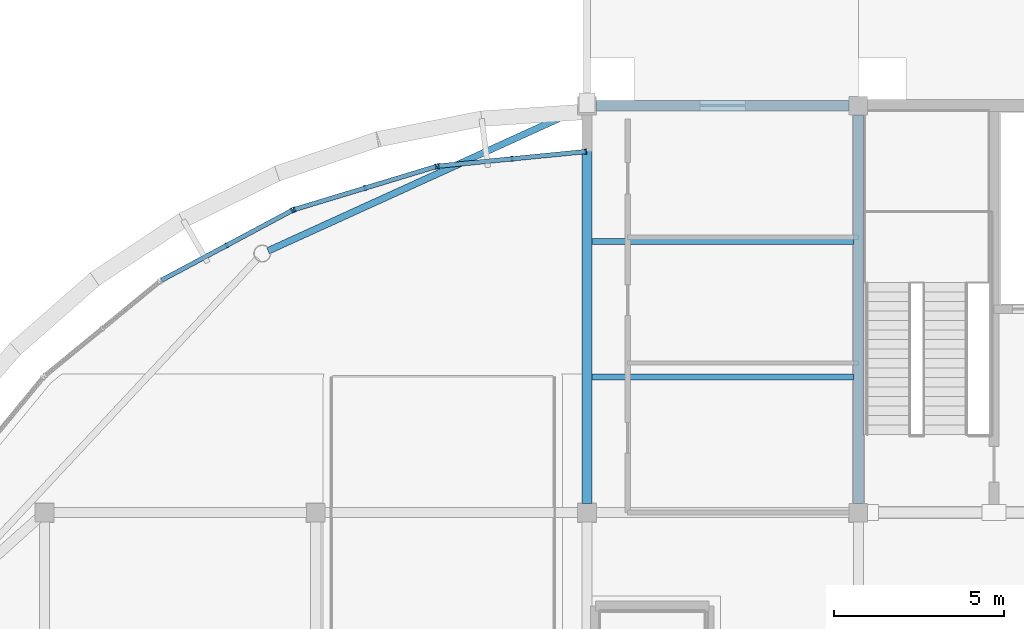
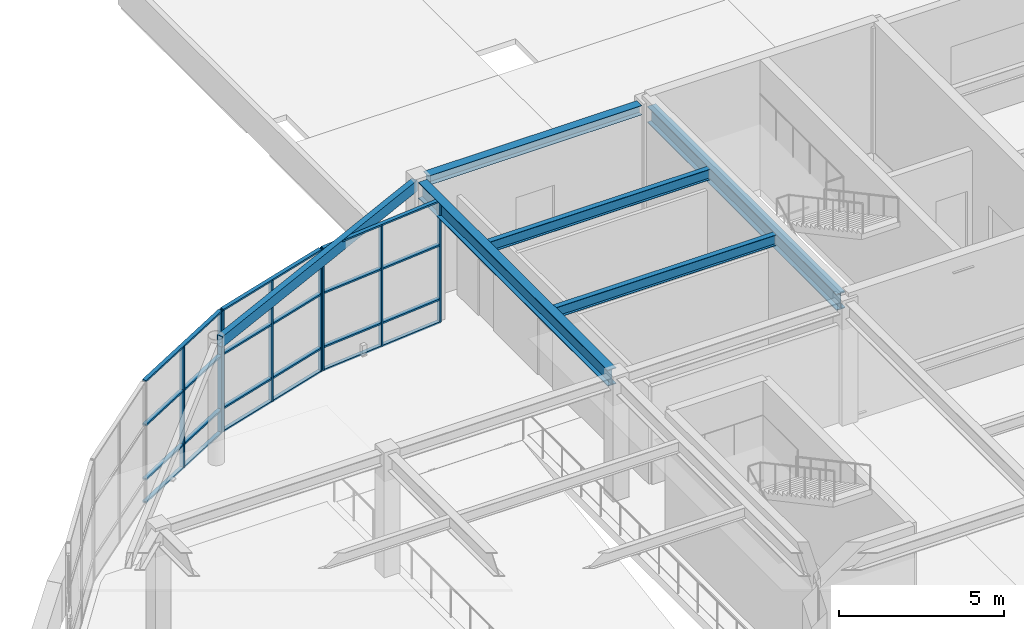
# One storey, part 20 of 72: 20 members, 6 beams, 3 elements without a shape of their own.
"""IFC4 building model written with IfcOpenShell, lengths in metres."""

from ifc_helpers import new_model, si_unit, direction, frame, origin, origin_2d, place, context, subcontext, project, spatial, rectangle, hollow_rectangle, i_section, extrude, material, layer, layer_set, material_profile, profile_set, type_object, element, aggregate, save


model = new_model("IFC4")

# Units and contexts
model_context = context("Model", 3, precision=1e-05, world=origin(), true_north=direction((0.0, 1.0)))
body_context = subcontext(model_context, "Body", "Model", "MODEL_VIEW")
ifc_project = project(units=[si_unit("LENGTHUNIT", "METRE"), si_unit("AREAUNIT", "SQUARE_METRE"), si_unit("VOLUMEUNIT", "CUBIC_METRE"), si_unit("PLANEANGLEUNIT", "RADIAN"), si_unit("MASSUNIT", "GRAM", prefix="KILO")], contexts=[model_context])

# Site, building, storey
site_placement = place(None, origin())
site = spatial("IfcSite", under=ifc_project, at=site_placement, CompositionType="ELEMENT")
building_placement = place(site_placement, origin())
building = spatial("IfcBuilding", under=site, at=building_placement, Name="Keelwater Ferry Terminal", CompositionType="ELEMENT")
storey_placement = place(building_placement, frame((0.0, 0.0, 5.39990234375)))
storey = spatial("IfcBuildingStorey", under=building, at=storey_placement, Name="L01", CompositionType="ELEMENT", Elevation=5.39990234375)

# Curtain wall, members
ifc_material_1 = material(Name="Thermally broken unitised aluminium and triple glass", Category="aluminium")
ifc_layer = layer(ifc_material_1, 0.179931640625)
ifc_layer_set = layer_set([ifc_layer], Name="Thermally broken unitised aluminium and triple glass")
curtain_wall_type = type_object("IfcCurtainWallType", Name="CW-18 Unitised Curtain Wall 4350x4480", PredefinedType="USERDEFINED", material=ifc_layer_set)
curtain_wall_1_placement = place(storey_placement, origin())
curtain_wall_1 = element("IfcCurtainWall", 1, at=curtain_wall_1_placement, inside=storey, type_object=curtain_wall_type, Name="Unitised Curtain Wall CW-L01-109", ObjectType="UNITISED CURTAIN WALL", PredefinedType="USERDEFINED")
ifc_material_2 = material(Name="Aluminium mullion", Category="aluminium")
ifc_material_profile_1 = material_profile(ifc_material_2, rectangle(XDim=0.06005859375, YDim=0.14990234375, at=origin_2d()), Name="CWM-03")
ifc_profile_set_1 = profile_set([ifc_material_profile_1], Name="Aluminium mullion")
member_type_1 = type_object("IfcMemberType", Name="CWM-03 Curtain Mullion 60x150", PredefinedType="MULLION", material=ifc_profile_set_1)
member_1_placement = place(storey_placement, frame((23.955078125, 88.64599609375, 0.0), z_axis=(0.0, 0.0, 1.0), x_axis=(-0.995170573079, -0.098160737969, 0.0)))
member_1 = element("IfcMember", 2, at=member_1_placement, type_object=member_type_1, Name="CW-L01-109 Mullion 1", PredefinedType="MULLION", context=body_context, shape_type="SweptSolid", body=[
    extrude(rectangle(XDim=0.06005859375, YDim=0.14990234375, at=origin_2d()), origin(), (0.0, 0.0, 1.0), 4.47998046875),
])
member_2_placement = place(storey_placement, frame((21.79052734375, 88.4326171875, 0.0), z_axis=(0.0, 0.0, 1.0), x_axis=(-0.995170573079, -0.098160737969, 0.0)))
member_2 = element("IfcMember", 3, at=member_2_placement, type_object=member_type_1, Name="CW-L01-109 Mullion 2", PredefinedType="MULLION", context=body_context, shape_type="SweptSolid", body=[
    extrude(rectangle(XDim=0.06005859375, YDim=0.14990234375, at=origin_2d()), origin(), (0.0, 0.0, 1.0), 4.47998046875),
])
member_3_placement = place(storey_placement, frame((19.6259765625, 88.218994140625, 0.0), z_axis=(0.0, 0.0, 1.0), x_axis=(-0.995170573079, -0.098160737969, 0.0)))
member_3 = element("IfcMember", 4, at=member_3_placement, type_object=member_type_1, Name="CW-L01-109 Mullion 3", PredefinedType="MULLION", context=body_context, shape_type="SweptSolid", body=[
    extrude(rectangle(XDim=0.06005859375, YDim=0.14990234375, at=origin_2d()), origin(), (0.0, 0.0, 1.0), 4.47998046875),
])

curtain_wall_2_placement = place(storey_placement, origin())
curtain_wall_2 = element("IfcCurtainWall", 5, at=curtain_wall_2_placement, inside=storey, type_object=curtain_wall_type, Name="Unitised Curtain Wall CW-L01-110", ObjectType="UNITISED CURTAIN WALL", PredefinedType="USERDEFINED")
member_4_placement = place(storey_placement, frame((19.5380859375, 88.201904296875, 0.0), z_axis=(0.0, 0.0, 1.0), x_axis=(-0.956929623319, -0.290319989003, 0.0)))
member_4 = element("IfcMember", 6, at=member_4_placement, type_object=member_type_1, Name="CW-L01-110 Mullion 1", PredefinedType="MULLION", context=body_context, shape_type="SweptSolid", body=[
    extrude(rectangle(XDim=0.06005859375, YDim=0.14990234375, at=origin_2d()), origin(), (0.0, 0.0, 1.0), 4.47998046875),
])
member_5_placement = place(storey_placement, frame((17.45654296875, 87.570556640625, 0.0), z_axis=(0.0, 0.0, 1.0), x_axis=(-0.956929623319, -0.290319989003, 0.0)))
member_5 = element("IfcMember", 7, at=member_5_placement, type_object=member_type_1, Name="CW-L01-110 Mullion 2", PredefinedType="MULLION", context=body_context, shape_type="SweptSolid", body=[
    extrude(rectangle(XDim=0.06005859375, YDim=0.14990234375, at=origin_2d()), origin(), (0.0, 0.0, 1.0), 4.47998046875),
])
member_6_placement = place(storey_placement, frame((15.375, 86.93896484375, 0.0), z_axis=(0.0, 0.0, 1.0), x_axis=(-0.956929623319, -0.290319989003, 0.0)))
member_6 = element("IfcMember", 8, at=member_6_placement, type_object=member_type_1, Name="CW-L01-110 Mullion 3", PredefinedType="MULLION", context=body_context, shape_type="SweptSolid", body=[
    extrude(rectangle(XDim=0.06005859375, YDim=0.14990234375, at=origin_2d()), origin(), (0.0, 0.0, 1.0), 4.47998046875),
])

curtain_wall_3_placement = place(storey_placement, origin())
curtain_wall_3 = element("IfcCurtainWall", 9, at=curtain_wall_3_placement, inside=storey, type_object=curtain_wall_type, Name="Unitised Curtain Wall CW-L01-111", ObjectType="UNITISED CURTAIN WALL", PredefinedType="USERDEFINED")
member_7_placement = place(storey_placement, frame((15.2919921875, 86.905029296875, 0.0), z_axis=(0.0, 0.0, 1.0), x_axis=(-0.881862452632, -0.471506749303, 0.0)))
member_7 = element("IfcMember", 10, at=member_7_placement, type_object=member_type_1, Name="CW-L01-111 Mullion 1", PredefinedType="MULLION", context=body_context, shape_type="SweptSolid", body=[
    extrude(rectangle(XDim=0.06005859375, YDim=0.14990234375, at=origin_2d()), origin(), (0.0, 0.0, 1.0), 4.47998046875),
])
member_8_placement = place(storey_placement, frame((13.3740234375, 85.87939453125, 0.0), z_axis=(0.0, 0.0, 1.0), x_axis=(-0.881862452632, -0.471506749303, 0.0)))
member_8 = element("IfcMember", 11, at=member_8_placement, type_object=member_type_1, Name="CW-L01-111 Mullion 2", PredefinedType="MULLION", context=body_context, shape_type="SweptSolid", body=[
    extrude(rectangle(XDim=0.06005859375, YDim=0.14990234375, at=origin_2d()), origin(), (0.0, 0.0, 1.0), 4.47998046875),
])

# Member
ifc_material_3 = material(Name="Aluminium mullion", Category="aluminium")
ifc_material_profile_2 = material_profile(ifc_material_3, rectangle(XDim=0.135009765625, YDim=0.06005859375, at=origin_2d()), Name="CWT-03")
ifc_profile_set_2 = profile_set([ifc_material_profile_2], Name="Aluminium mullion")
member_type_2 = type_object("IfcMemberType", Name="CWT-03 Curtain Transom 60x135", PredefinedType="USERDEFINED", material=ifc_profile_set_2)
member_9_placement = place(storey_placement, frame((23.955078125, 88.64599609375, 0.0), z_axis=(-0.995170754178, -0.098158901932, 0.0), x_axis=(0.098158901932, -0.995170754178, 0.0)))
member_9 = element("IfcMember", 12, at=member_9_placement, type_object=member_type_2, Name="CW-L01-109 Transom 1", ObjectType="TRANSOM", PredefinedType="USERDEFINED", context=body_context, shape_type="SweptSolid", body=[
    extrude(rectangle(XDim=0.135009765625, YDim=0.06005859375, at=origin_2d()), origin(), (0.0, 0.0, 1.0), 4.35009765625),
])

member_10_placement = place(storey_placement, frame((23.955078125, 88.64599609375, 0.85009765625), z_axis=(-0.995170754178, -0.098158901932, 0.0), x_axis=(0.098158901932, -0.995170754178, 0.0)))
member_10 = element("IfcMember", 13, at=member_10_placement, type_object=member_type_2, Name="CW-L01-109 Transom 2", ObjectType="TRANSOM", PredefinedType="USERDEFINED", context=body_context, shape_type="SweptSolid", body=[
    extrude(rectangle(XDim=0.135009765625, YDim=0.06005859375, at=origin_2d()), origin(), (0.0, 0.0, 1.0), 4.35009765625),
])

member_11_placement = place(storey_placement, frame((23.955078125, 88.64599609375, 2.85009765625), z_axis=(-0.995170754178, -0.098158901932, 0.0), x_axis=(0.098158901932, -0.995170754178, 0.0)))
member_11 = element("IfcMember", 14, at=member_11_placement, type_object=member_type_2, Name="CW-L01-109 Transom 3", ObjectType="TRANSOM", PredefinedType="USERDEFINED", context=body_context, shape_type="SweptSolid", body=[
    extrude(rectangle(XDim=0.135009765625, YDim=0.06005859375, at=origin_2d()), origin(), (0.0, 0.0, 1.0), 4.35009765625),
])

member_12_placement = place(storey_placement, frame((23.955078125, 88.64599609375, 4.47998046875), z_axis=(-0.995170754178, -0.098158901932, 0.0), x_axis=(0.098158901932, -0.995170754178, 0.0)))
member_12 = element("IfcMember", 15, at=member_12_placement, type_object=member_type_2, Name="CW-L01-109 Transom 4", ObjectType="TRANSOM", PredefinedType="USERDEFINED", context=body_context, shape_type="SweptSolid", body=[
    extrude(rectangle(XDim=0.135009765625, YDim=0.06005859375, at=origin_2d()), origin(), (0.0, 0.0, 1.0), 4.35009765625),
])

aggregate(curtain_wall_1, [member_1, member_2, member_3, member_9, member_10, member_11, member_12])

member_13_placement = place(storey_placement, frame((19.5380859375, 88.201904296875, 0.0), z_axis=(-0.956935154583, -0.290301756665, 0.0), x_axis=(0.290301756665, -0.956935154583, 0.0)))
member_13 = element("IfcMember", 16, at=member_13_placement, type_object=member_type_2, Name="CW-L01-110 Transom 1", ObjectType="TRANSOM", PredefinedType="USERDEFINED", context=body_context, shape_type="SweptSolid", body=[
    extrude(rectangle(XDim=0.135009765625, YDim=0.06005859375, at=origin_2d()), origin(), (0.0, 0.0, 1.0), 4.350341796875),
])

member_14_placement = place(storey_placement, frame((19.5380859375, 88.201904296875, 0.85009765625), z_axis=(-0.956935154583, -0.290301756665, 0.0), x_axis=(0.290301756665, -0.956935154583, 0.0)))
member_14 = element("IfcMember", 17, at=member_14_placement, type_object=member_type_2, Name="CW-L01-110 Transom 2", ObjectType="TRANSOM", PredefinedType="USERDEFINED", context=body_context, shape_type="SweptSolid", body=[
    extrude(rectangle(XDim=0.135009765625, YDim=0.06005859375, at=origin_2d()), origin(), (0.0, 0.0, 1.0), 4.350341796875),
])

member_15_placement = place(storey_placement, frame((19.5380859375, 88.201904296875, 2.85009765625), z_axis=(-0.956935154583, -0.290301756665, 0.0), x_axis=(0.290301756665, -0.956935154583, 0.0)))
member_15 = element("IfcMember", 18, at=member_15_placement, type_object=member_type_2, Name="CW-L01-110 Transom 3", ObjectType="TRANSOM", PredefinedType="USERDEFINED", context=body_context, shape_type="SweptSolid", body=[
    extrude(rectangle(XDim=0.135009765625, YDim=0.06005859375, at=origin_2d()), origin(), (0.0, 0.0, 1.0), 4.350341796875),
])

member_16_placement = place(storey_placement, frame((19.5380859375, 88.201904296875, 4.47998046875), z_axis=(-0.956935154583, -0.290301756665, 0.0), x_axis=(0.290301756665, -0.956935154583, 0.0)))
member_16 = element("IfcMember", 19, at=member_16_placement, type_object=member_type_2, Name="CW-L01-110 Transom 4", ObjectType="TRANSOM", PredefinedType="USERDEFINED", context=body_context, shape_type="SweptSolid", body=[
    extrude(rectangle(XDim=0.135009765625, YDim=0.06005859375, at=origin_2d()), origin(), (0.0, 0.0, 1.0), 4.350341796875),
])

aggregate(curtain_wall_2, [member_4, member_5, member_6, member_13, member_14, member_15, member_16])

member_17_placement = place(storey_placement, frame((15.2919921875, 86.905029296875, 0.0), z_axis=(-0.881856831112, -0.471517263122, 0.0), x_axis=(0.471517263122, -0.881856831112, 0.0)))
member_17 = element("IfcMember", 20, at=member_17_placement, type_object=member_type_2, Name="CW-L01-111 Transom 1", ObjectType="TRANSOM", PredefinedType="USERDEFINED", context=body_context, shape_type="SweptSolid", body=[
    extrude(rectangle(XDim=0.135009765625, YDim=0.06005859375, at=origin_2d()), origin(), (0.0, 0.0, 1.0), 4.349853515625),
])

member_18_placement = place(storey_placement, frame((15.2919921875, 86.905029296875, 0.85009765625), z_axis=(-0.881856831112, -0.471517263122, 0.0), x_axis=(0.471517263122, -0.881856831112, 0.0)))
member_18 = element("IfcMember", 21, at=member_18_placement, type_object=member_type_2, Name="CW-L01-111 Transom 2", ObjectType="TRANSOM", PredefinedType="USERDEFINED", context=body_context, shape_type="SweptSolid", body=[
    extrude(rectangle(XDim=0.135009765625, YDim=0.06005859375, at=origin_2d()), origin(), (0.0, 0.0, 1.0), 4.349853515625),
])

member_19_placement = place(storey_placement, frame((15.2919921875, 86.905029296875, 2.85009765625), z_axis=(-0.881856831112, -0.471517263122, 0.0), x_axis=(0.471517263122, -0.881856831112, 0.0)))
member_19 = element("IfcMember", 22, at=member_19_placement, type_object=member_type_2, Name="CW-L01-111 Transom 3", ObjectType="TRANSOM", PredefinedType="USERDEFINED", context=body_context, shape_type="SweptSolid", body=[
    extrude(rectangle(XDim=0.135009765625, YDim=0.06005859375, at=origin_2d()), origin(), (0.0, 0.0, 1.0), 4.349853515625),
])

member_20_placement = place(storey_placement, frame((15.2919921875, 86.905029296875, 4.47998046875), z_axis=(-0.881856831112, -0.471517263122, 0.0), x_axis=(0.471517263122, -0.881856831112, 0.0)))
member_20 = element("IfcMember", 23, at=member_20_placement, type_object=member_type_2, Name="CW-L01-111 Transom 4", ObjectType="TRANSOM", PredefinedType="USERDEFINED", context=body_context, shape_type="SweptSolid", body=[
    extrude(rectangle(XDim=0.135009765625, YDim=0.06005859375, at=origin_2d()), origin(), (0.0, 0.0, 1.0), 4.349853515625),
])

aggregate(curtain_wall_3, [member_7, member_8, member_17, member_18, member_19, member_20])

# Beams
ifc_material_4 = material(Name="Steel S355", Category="steel")
ifc_material_profile_3 = material_profile(ifc_material_4, i_section(OverallWidth=0.300048828125, OverallDepth=0.60009765625, WebThickness=0.015380859375, FlangeThickness=0.030029296875, at=origin_2d()), Name="HEB 600")
ifc_profile_set_3 = profile_set([ifc_material_profile_3], Name="Steel S355")
beam_type_1 = type_object("IfcBeamType", Name="G3 HEB 600", PredefinedType="BEAM", material=ifc_profile_set_3)
beam_1_placement = place(storey_placement, frame((24.0, 78.27001953125, 4.22021484375), z_axis=(0.0, 1.0, 0.0), x_axis=(-1.0, 0.0, 0.0)))
element("IfcBeam", 24, at=beam_1_placement, inside=storey, type_object=beam_type_1, Name="Beam BM-L01-0718", PredefinedType="BEAM", context=body_context, shape_type="SweptSolid", body=[
    extrude(i_section(OverallWidth=0.300048828125, OverallDepth=0.60009765625, WebThickness=0.015380859375, FlangeThickness=0.030029296875, at=origin_2d()), origin(), (0.0, 0.0, 1.0), 11.4599609375),
])
ifc_material_5 = material(Name="Steel S355", Category="steel")
ifc_material_profile_4 = material_profile(ifc_material_5, i_section(OverallWidth=0.300048828125, OverallDepth=0.60009765625, WebThickness=0.015380859375, FlangeThickness=0.030029296875, at=origin_2d()), Name="HEB 600")
ifc_profile_set_4 = profile_set([ifc_material_profile_4], Name="Steel S355")
beam_type_2 = type_object("IfcBeamType", Name="G3E HEB 600", PredefinedType="BEAM", material=ifc_profile_set_4)
beam_2_placement = place(storey_placement, frame((32.0, 78.27001953125, 4.22021484375), z_axis=(0.0, 1.0, 0.0), x_axis=(-1.0, 0.0, 0.0)))
element("IfcBeam", 25, at=beam_2_placement, inside=storey, type_object=beam_type_2, Name="Beam BM-L01-0726", PredefinedType="BEAM", context=body_context, shape_type="SweptSolid", body=[
    extrude(i_section(OverallWidth=0.300048828125, OverallDepth=0.60009765625, WebThickness=0.015380859375, FlangeThickness=0.030029296875, at=origin_2d()), origin(), (0.0, 0.0, 1.0), 11.4599609375),
])
ifc_material_6 = material(Name="Steel S355", Category="steel")
ifc_material_profile_5 = material_profile(ifc_material_6, i_section(OverallWidth=0.179931640625, OverallDepth=0.39990234375, WebThickness=0.008544921875, FlangeThickness=0.013427734375, at=origin_2d()), Name="IPE 400")
ifc_profile_set_5 = profile_set([ifc_material_profile_5], Name="Steel S355")
beam_type_3 = type_object("IfcBeamType", Name="J5 IPE 400", PredefinedType="JOIST", material=ifc_profile_set_5)
for number, where, z_axis, x_axis, name in (
    (26, (24.14990234375, 82.0, 4.320068359375), (1.0, 0.0, 0.0), (0.0, 1.0, 0.0), "Beam BM-L01-0823"),
    (27, (24.14990234375, 86.0, 4.320068359375), (1.0, 0.0, 0.0), (0.0, 1.0, 0.0), "Beam BM-L01-0824"),
):
    element("IfcBeam", number, at=place(storey_placement, frame(where, z_axis=z_axis, x_axis=x_axis)), inside=storey, type_object=beam_type_3, Name=name, PredefinedType="JOIST", context=body_context, shape_type="SweptSolid", body=[
        extrude(i_section(OverallWidth=0.179931640625, OverallDepth=0.39990234375, WebThickness=0.008544921875, FlangeThickness=0.013427734375, at=origin_2d()), origin(), (0.0, 0.0, 1.0), 7.7001953125),
    ])
ifc_material_7 = material(Name="Steel S355", Category="steel")
ifc_material_profile_6 = material_profile(ifc_material_7, i_section(OverallWidth=0.300048828125, OverallDepth=0.35009765625, WebThickness=0.010009765625, FlangeThickness=0.017578125, at=origin_2d()), Name="HEA 360")
ifc_profile_set_6 = profile_set([ifc_material_profile_6], Name="Steel S355")
beam_type_4 = type_object("IfcBeamType", Name="SP1E HEA 360", PredefinedType="SPANDREL", material=ifc_profile_set_6)
beam_3_placement = place(storey_placement, frame((24.27001953125, 90.0, 4.34521484375), z_axis=(1.0, 0.0, 0.0), x_axis=(0.0, 1.0, 0.0)))
element("IfcBeam", 28, at=beam_3_placement, inside=storey, type_object=beam_type_4, Name="Beam BM-L01-0668", PredefinedType="SPANDREL", context=body_context, shape_type="SweptSolid", body=[
    extrude(i_section(OverallWidth=0.300048828125, OverallDepth=0.35009765625, WebThickness=0.010009765625, FlangeThickness=0.017578125, at=origin_2d()), origin(), (0.0, 0.0, 1.0), 7.4599609375),
])
ifc_material_8 = material(Name="Steel S355", Category="steel")
ifc_material_profile_7 = material_profile(ifc_material_8, hollow_rectangle(XDim=0.199951171875, YDim=0.39990234375, WallThickness=0.01611328125, at=origin_2d()), Name="RHS 400x200x16")
ifc_profile_set_7 = profile_set([ifc_material_profile_7], Name="Steel S355")
beam_type_5 = type_object("IfcBeamType", Name="SP3E RHS 400x200x16", PredefinedType="SPANDREL", material=ifc_profile_set_7)
beam_4_placement = place(storey_placement, frame((23.826904296875, 89.9208984375, 4.320068359375), z_axis=(-0.910123163328, -0.414337818181, 0.0), x_axis=(0.414337818181, -0.910123163328, 0.0)))
element("IfcBeam", 29, at=beam_4_placement, inside=storey, type_object=beam_type_5, Name="Beam BM-L01-0962", PredefinedType="SPANDREL", context=body_context, shape_type="SweptSolid", body=[
    extrude(hollow_rectangle(XDim=0.199951171875, YDim=0.39990234375, WallThickness=0.01611328125, at=origin_2d()), origin(), (0.0, 0.0, 1.0), 10.1435546875),
])

save(model, "model.ifc")
